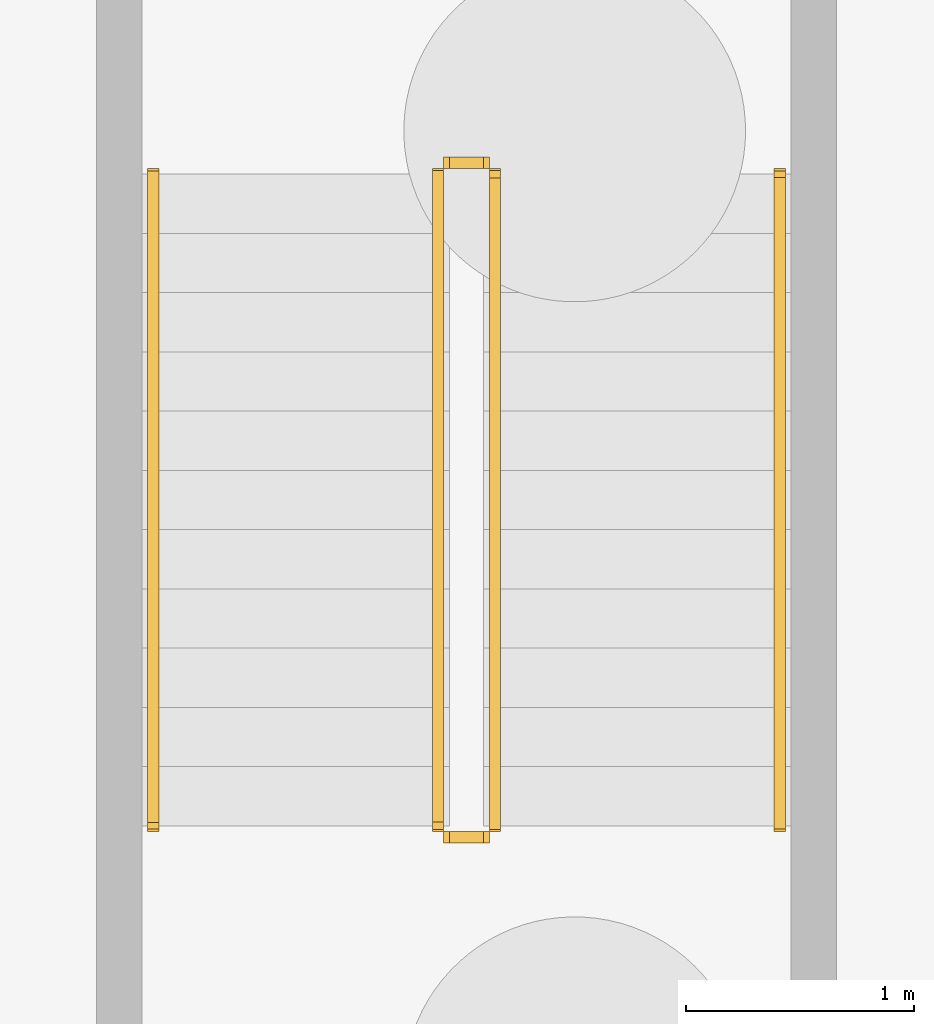
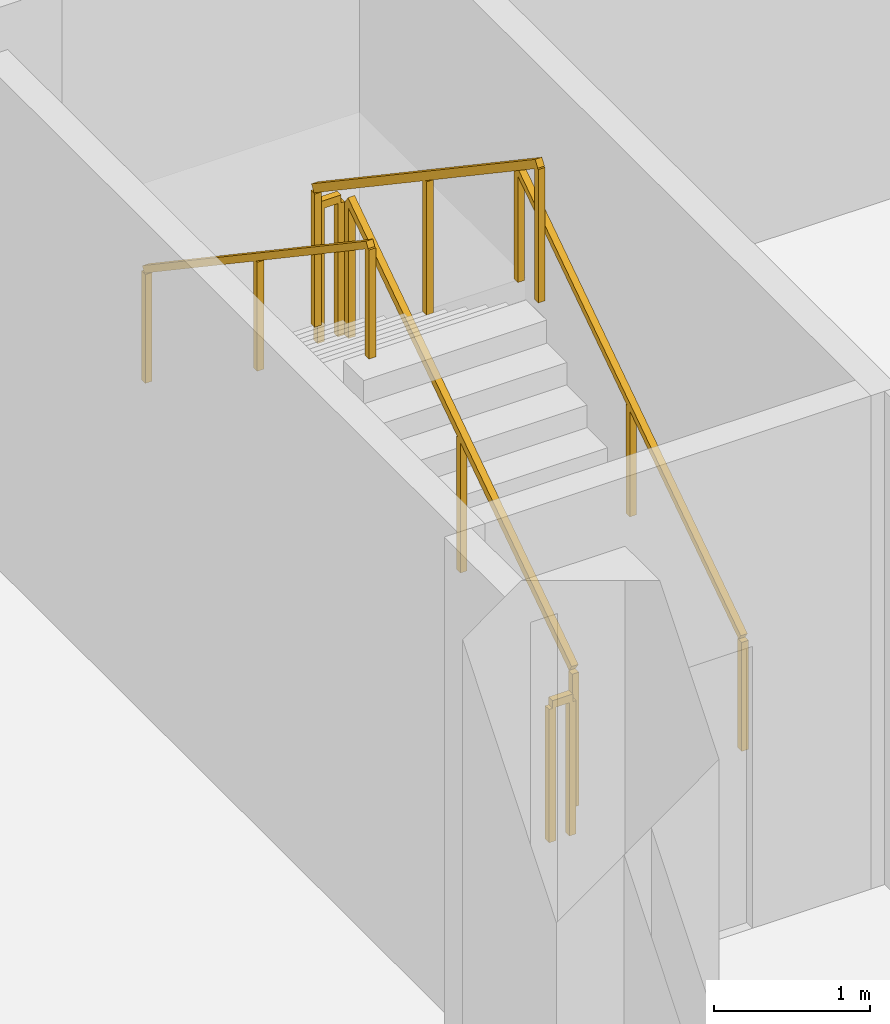
# One storey, part 17 of 19: 6 railings.
"""IFC4 building model written with IfcOpenShell, lengths in metres."""

from ifc_helpers import new_model, si_unit, direction, frame, origin, origin_2d, place, context, subcontext, project, spatial, rectangle, extrude, material, type_object, element, save


model = new_model("IFC4")

# Units and contexts
model_context = context("Model", 3, precision=1e-05, world=origin(), true_north=direction((0.0, 1.0)))
body_context = subcontext(model_context, "Body", "Model", "MODEL_VIEW")
ifc_project = project(units=[si_unit("LENGTHUNIT", "METRE"), si_unit("AREAUNIT", "SQUARE_METRE"), si_unit("VOLUMEUNIT", "CUBIC_METRE"), si_unit("PLANEANGLEUNIT", "RADIAN"), si_unit("MASSUNIT", "GRAM", prefix="KILO")], contexts=[model_context])

# Site, building, storey
site_placement = place(None, origin())
site = spatial("IfcSite", under=ifc_project, at=site_placement, CompositionType="ELEMENT")
building_placement = place(site_placement, origin())
building = spatial("IfcBuilding", under=site, at=building_placement, Name="Khepri Terraces", CompositionType="ELEMENT")
storey_placement = place(building_placement, frame((0.0, 0.0, -8.39990234375)))
storey = spatial("IfcBuildingStorey", under=building, at=storey_placement, Name="B2", CompositionType="ELEMENT", Elevation=-8.39990234375)

# Railings
ifc_material = material(Name="Stainless steel 316", Category="steel")
railing_type_1 = type_object("IfcRailingType", Name="RL-POD-GUARD", PredefinedType="GUARDRAIL", material=ifc_material)
railing_1_placement = place(storey_placement, frame((-23.449951171875, 20.050048828125, 0.1748046875)))
element("IfcRailing", 1, at=railing_1_placement, inside=storey, type_object=railing_type_1, Name="B2 PS-2 stair guard 1", PredefinedType="GUARDRAIL", context=body_context, shape_type="SweptSolid", body=[
    extrude(rectangle(XDim=0.050048828125, YDim=0.06005859375, at=origin_2d()), frame((0.0, 0.0, 1.070068359375), z_axis=(0.0, 0.829568821333, 0.558404486615), x_axis=(-1.0, 0.0, 0.0)), (0.0, 0.0, 1.0), 3.447509765625),
    extrude(rectangle(XDim=0.050048828125, YDim=0.050048828125, at=origin_2d()), origin(), (0.0, 0.0, 1.0), 1.0400390625),
    extrude(rectangle(XDim=0.050048828125, YDim=0.050048828125, at=origin_2d()), frame((0.0, 1.429931640625, 0.96240234375)), (0.0, 0.0, 1.0), 1.0400390625),
    extrude(rectangle(XDim=0.050048828125, YDim=0.050048828125, at=origin_2d()), frame((0.0, 2.85986328125, 1.925048828125)), (0.0, 0.0, 1.0), 1.0400390625),
])
railing_2_placement = place(storey_placement, frame((-23.5, 22.9599609375, 2.099853515625)))
element("IfcRailing", 2, at=railing_2_placement, inside=storey, type_object=railing_type_1, Name="B2 PS-2 stair guard 2", PredefinedType="GUARDRAIL", context=body_context, shape_type="SweptSolid", body=[
    extrude(rectangle(XDim=0.050048828125, YDim=0.06005859375, at=origin_2d()), frame((0.0, 0.0, 1.070068359375), z_axis=(-1.0, 0.0, 0.0), x_axis=(0.0, -1.0, 0.0)), (0.0, 0.0, 1.0), 0.14990234375),
    extrude(rectangle(XDim=0.050048828125, YDim=0.050048828125, at=origin_2d()), origin(), (0.0, 0.0, 1.0), 1.0400390625),
    extrude(rectangle(XDim=0.050048828125, YDim=0.050048828125, at=origin_2d()), frame((-0.14990234375, 0.0, 0.0)), (0.0, 0.0, 1.0), 1.0400390625),
])
railing_3_placement = place(storey_placement, frame((-23.699951171875, 22.909912109375, 2.27490234375)))
element("IfcRailing", 3, at=railing_3_placement, inside=storey, type_object=railing_type_1, Name="B2 PS-2 stair guard 3", PredefinedType="GUARDRAIL", context=body_context, shape_type="SweptSolid", body=[
    extrude(rectangle(XDim=0.050048828125, YDim=0.06005859375, at=origin_2d()), frame((0.0, 0.0, 1.070068359375), z_axis=(0.0, -0.829568821333, 0.558404486615), x_axis=(1.0, 0.0, 0.0)), (0.0, 0.0, 1.0), 3.447509765625),
    extrude(rectangle(XDim=0.050048828125, YDim=0.050048828125, at=origin_2d()), origin(), (0.0, 0.0, 1.0), 1.0400390625),
    extrude(rectangle(XDim=0.050048828125, YDim=0.050048828125, at=origin_2d()), frame((0.0, -1.429931640625, 0.96240234375)), (0.0, 0.0, 1.0), 1.0400390625),
    extrude(rectangle(XDim=0.050048828125, YDim=0.050048828125, at=origin_2d()), frame((0.0, -2.85986328125, 1.925048828125)), (0.0, 0.0, 1.0), 1.0400390625),
])
railing_4_placement = place(storey_placement, frame((-23.5, 20.0, 0.0)))
element("IfcRailing", 4, at=railing_4_placement, inside=storey, type_object=railing_type_1, Name="B2 PS-2 stair guard 4", PredefinedType="GUARDRAIL", context=body_context, shape_type="SweptSolid", body=[
    extrude(rectangle(XDim=0.050048828125, YDim=0.06005859375, at=origin_2d()), frame((0.0, 0.0, 1.070068359375), z_axis=(-1.0, 0.0, 0.0), x_axis=(0.0, -1.0, 0.0)), (0.0, 0.0, 1.0), 0.14990234375),
    extrude(rectangle(XDim=0.050048828125, YDim=0.050048828125, at=origin_2d()), origin(), (0.0, 0.0, 1.0), 1.0400390625),
    extrude(rectangle(XDim=0.050048828125, YDim=0.050048828125, at=origin_2d()), frame((-0.14990234375, 0.0, 0.0)), (0.0, 0.0, 1.0), 1.0400390625),
])
railing_type_2 = type_object("IfcRailingType", Name="RL-POD-HANDRAIL", PredefinedType="HANDRAIL", material=ifc_material)
railing_5_placement = place(storey_placement, frame((-22.199951171875, 20.050048828125, 0.1748046875)))
element("IfcRailing", 5, at=railing_5_placement, inside=storey, type_object=railing_type_2, Name="B2 PS-2 stair handrail 1", PredefinedType="HANDRAIL", context=body_context, shape_type="SweptSolid", body=[
    extrude(rectangle(XDim=0.050048828125, YDim=0.050048828125, at=origin_2d()), frame((0.0, 0.0, 0.875), z_axis=(0.0, 0.829568821333, 0.558404486615), x_axis=(-1.0, 0.0, 0.0)), (0.0, 0.0, 1.0), 3.447509765625),
    extrude(rectangle(XDim=0.050048828125, YDim=0.050048828125, at=origin_2d()), origin(), (0.0, 0.0, 1.0), 0.849853515625),
    extrude(rectangle(XDim=0.050048828125, YDim=0.050048828125, at=origin_2d()), frame((0.0, 1.429931640625, 0.96240234375)), (0.0, 0.0, 1.0), 0.849853515625),
    extrude(rectangle(XDim=0.050048828125, YDim=0.050048828125, at=origin_2d()), frame((0.0, 2.85986328125, 1.925048828125)), (0.0, 0.0, 1.0), 0.849853515625),
])
railing_6_placement = place(storey_placement, frame((-24.949951171875, 22.909912109375, 2.27490234375)))
element("IfcRailing", 6, at=railing_6_placement, inside=storey, type_object=railing_type_2, Name="B2 PS-2 stair handrail 2", PredefinedType="HANDRAIL", context=body_context, shape_type="SweptSolid", body=[
    extrude(rectangle(XDim=0.050048828125, YDim=0.050048828125, at=origin_2d()), frame((0.0, 0.0, 0.875), z_axis=(0.0, -0.829568821333, 0.558404486615), x_axis=(1.0, 0.0, 0.0)), (0.0, 0.0, 1.0), 3.447509765625),
    extrude(rectangle(XDim=0.050048828125, YDim=0.050048828125, at=origin_2d()), origin(), (0.0, 0.0, 1.0), 0.849853515625),
    extrude(rectangle(XDim=0.050048828125, YDim=0.050048828125, at=origin_2d()), frame((0.0, -1.429931640625, 0.96240234375)), (0.0, 0.0, 1.0), 0.849853515625),
    extrude(rectangle(XDim=0.050048828125, YDim=0.050048828125, at=origin_2d()), frame((0.0, -2.85986328125, 1.925048828125)), (0.0, 0.0, 1.0), 0.849853515625),
])

save(model, "model.ifc")
